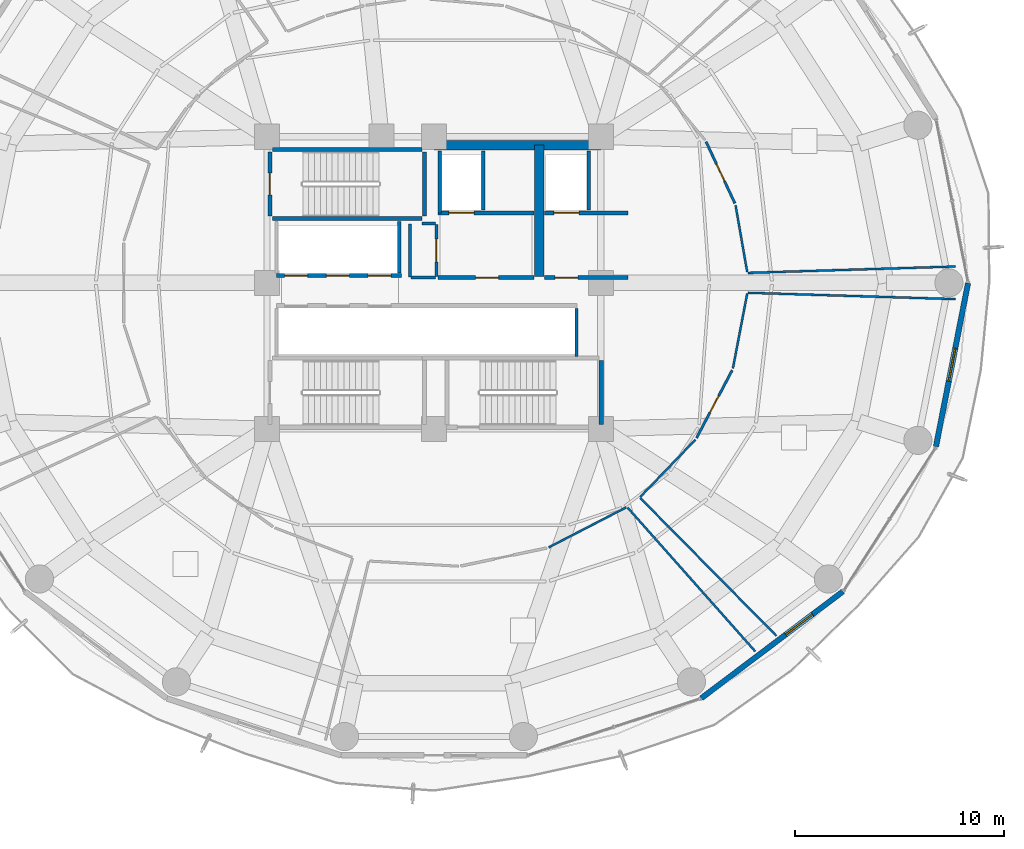
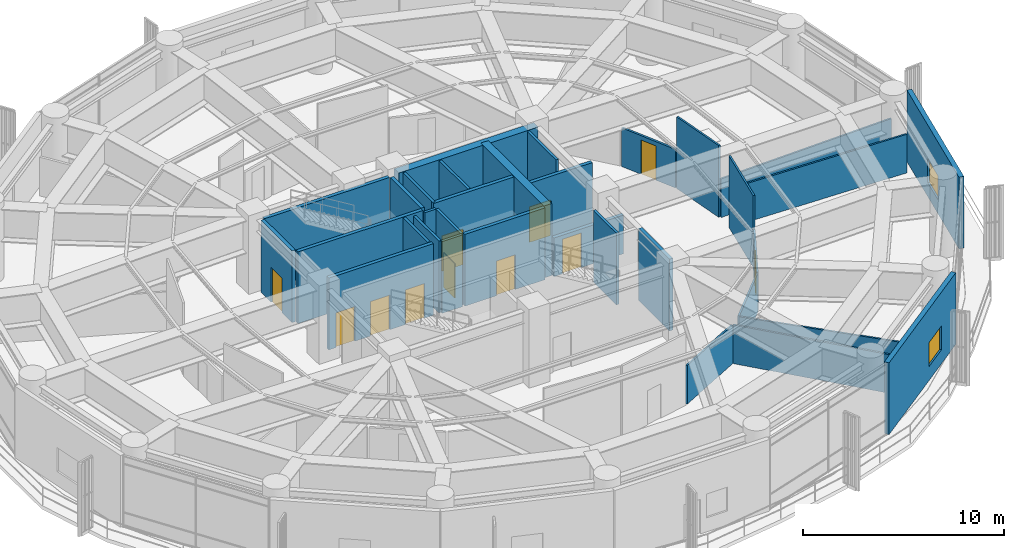
# One storey, part 28 of 34: 33 walls, 11 doors, 2 windows, 13 openings.
"""IFC4 building model written with IfcOpenShell, lengths in metres."""

from ifc_helpers import new_model, si_unit, direction, frame, frame_2d, origin, place, context, subcontext, project, spatial, rectangle, extrude, material, layer, layer_set, type_object, element, fill, save


model = new_model("IFC4")

# Units and contexts
model_context = context("Model", 3, precision=1e-05, world=origin(), true_north=direction((0.0, 1.0)))
body_context = subcontext(model_context, "Body", "Model", "MODEL_VIEW")
ifc_project = project(units=[si_unit("LENGTHUNIT", "METRE"), si_unit("AREAUNIT", "SQUARE_METRE"), si_unit("VOLUMEUNIT", "CUBIC_METRE"), si_unit("PLANEANGLEUNIT", "RADIAN"), si_unit("MASSUNIT", "GRAM", prefix="KILO")], contexts=[model_context])

# Site, building, storey
site_placement = place(None, origin())
site = spatial("IfcSite", under=ifc_project, at=site_placement, CompositionType="ELEMENT")
building_placement = place(site_placement, origin())
building = spatial("IfcBuilding", under=site, at=building_placement, Name="Kelanora Arch Commons", CompositionType="ELEMENT")
storey_placement = place(building_placement, frame((0.0, 0.0, 125.10009765625)))
storey = spatial("IfcBuildingStorey", under=building, at=storey_placement, Name="L32", CompositionType="ELEMENT", Elevation=125.10009765625)

# Walls
ifc_material_1 = material(Name="Autoclaved aerated concrete blockwork with fire plaster", Category="masonry")
ifc_layer_1 = layer(ifc_material_1, 0.14990234375)
ifc_layer_set_1 = layer_set([ifc_layer_1], Name="Autoclaved aerated concrete blockwork with fire plaster")
wall_type_1 = type_object("IfcWallType", Name="W-COMP-150", PredefinedType="PARTITIONING", material=ifc_layer_set_1)
wall_1_placement = place(storey_placement, frame((74.280029296875, 61.35009765625, 0.0), z_axis=(0.0, 0.0, 1.0), x_axis=(0.0, 1.0, 0.0)))
element("IfcWall", 1, at=wall_1_placement, inside=storey, type_object=wall_type_1, Name="Firefighting Lift 1 West Shaft Wall L32", PredefinedType="PARTITIONING", context=body_context, shape_type="SweptSolid", body=[
    extrude(rectangle(XDim=2.969970703125, YDim=0.14990234375, at=frame_2d((1.48486328125, 0.0))), origin(), (0.0, 0.0, 1.0), 4.349853515625),
])
for number, where, z_axis, x_axis, name in (
    (2, (76.360107421875, 61.47998046875, 0.0), (0.0, 0.0, 1.0), (0.0, 1.0, 0.0), "Firefighting Lift 1 East Shaft Wall L32"),
    (3, (81.419921875, 61.47998046875, 0.0), (0.0, 0.0, 1.0), (0.0, 1.0, 0.0), "Firefighting Lift 2 East Shaft Wall L32"),
):
    element("IfcWall", number, at=place(storey_placement, frame(where, z_axis=z_axis, x_axis=x_axis)), inside=storey, type_object=wall_type_1, Name=name, PredefinedType="PARTITIONING", context=body_context, shape_type="SweptSolid", body=[
        extrude(rectangle(XDim=2.840087890625, YDim=0.14990234375, at=frame_2d((1.419921875, 0.0))), origin(), (0.0, 0.0, 1.0), 4.349853515625),
    ])
wall_2_placement = place(storey_placement, frame((72.340087890625, 58.47998046875, 0.0), z_axis=(0.0, 0.0, 1.0), x_axis=(0.0, 1.0, 0.0)))
element("IfcWall", 4, at=wall_2_placement, inside=storey, type_object=wall_type_1, Name="Low-Rise Lift Bank East Wall L32", PredefinedType="PARTITIONING", context=body_context, shape_type="SweptSolid", body=[
    extrude(rectangle(XDim=2.4599609375, YDim=0.14990234375, at=frame_2d((1.22998046875, 0.0))), origin(), (0.0, 0.0, 1.0), 4.349853515625),
])
wall_3_placement = place(storey_placement, frame((80.840087890625, 54.47998046875, 0.0), z_axis=(0.0, 0.0, 1.0), x_axis=(0.0, 1.0, 0.0)))
element("IfcWall", 5, at=wall_3_placement, inside=storey, type_object=wall_type_1, Name="South Lift Bank East Wall L32", PredefinedType="PARTITIONING", context=body_context, shape_type="SweptSolid", body=[
    extrude(rectangle(XDim=2.2900390625, YDim=0.14990234375, at=frame_2d((1.14501953125, 0.0))), origin(), (0.0, 0.0, 1.0), 4.349853515625),
])

# Wall, opening, door
wall_4_placement = place(storey_placement, frame((74.1201171875, 58.31005859375, 0.0), z_axis=(0.0, 0.0, 1.0), x_axis=(0.0, 1.0, 0.0)))
wall_4 = element("IfcWall", 6, at=wall_4_placement, inside=storey, type_object=wall_type_1, Name="Core Linen Supply Store L32 Entry Partition", PredefinedType="PARTITIONING", context=body_context, shape_type="SweptSolid", body=[
    extrude(rectangle(XDim=2.47998046875, YDim=0.14990234375, at=frame_2d((1.239990234375, 0.0))), origin(), (0.0, 0.0, 1.0), 4.349853515625),
])
opening_1_placement = place(wall_4_placement, frame((0.699951171875, 0.0, 0.0)))
opening_1 = element("IfcOpeningElement", 7, at=opening_1_placement, cuts=wall_4, Name="Opening D-PLT1", PredefinedType="OPENING", context=body_context, shape_type="SweptSolid", body=[
    extrude(rectangle(XDim=1.080078125, YDim=2.10009765625, at=frame_2d((0.5400390625, 1.050048828125))), frame((0.0, 0.0849609375, 0.0), z_axis=(0.0, -1.0, 0.0), x_axis=(1.0, 0.0, 0.0)), (0.0, 0.0, 1.0), 0.169921875),
])
ifc_material_2 = material(Name="Galvanised steel plant and riser fire door", Category="steel")
door_type_1 = type_object("IfcDoorType", Name="D-PLT-110", OperationType="NOTDEFINED", PredefinedType="DOOR", material=ifc_material_2)
door_1_placement = place(opening_1_placement, origin())
door_1 = element("IfcDoor", 8, at=door_1_placement, inside=storey, type_object=door_type_1, Name="Core Linen Supply Store L32 Door", OperationType="SINGLE_SWING_RIGHT", OverallHeight=2.10009765625, OverallWidth=1.080078125, PredefinedType="DOOR", context=body_context, shape_type="SweptSolid", body=[
    extrude(rectangle(XDim=1.080078125, YDim=2.10009765625, at=frame_2d((0.5400390625, 1.050048828125))), frame((0.0, 0.02490234375, 0.0), z_axis=(0.0, -1.0, 0.0), x_axis=(1.0, 0.0, 0.0)), (0.0, 0.0, 1.0), 0.050048828125),
])
fill(opening_1, door_1)

# Walls
wall_5_placement = place(storey_placement, frame((72.89990234375, 58.25, 0.0), z_axis=(0.0, 0.0, 1.0), x_axis=(1.0, 0.0, 0.0)))
element("IfcWall", 9, at=wall_5_placement, inside=storey, type_object=wall_type_1, Name="Core Linen Supply Store L32 Enclosure Partition 1", PredefinedType="PARTITIONING", context=body_context, shape_type="SweptSolid", body=[
    extrude(rectangle(XDim=1.18017578125, YDim=0.14990234375, at=frame_2d((0.590087890625, 0.0))), origin(), (0.0, 0.0, 1.0), 4.349853515625),
])
wall_6_placement = place(storey_placement, frame((74.080078125, 60.85009765625, 0.0), z_axis=(0.0, 0.0, 1.0), x_axis=(-1.0, 0.0, 0.0)))
element("IfcWall", 10, at=wall_6_placement, inside=storey, type_object=wall_type_1, Name="Core Linen Supply Store L32 Enclosure Partition 3", PredefinedType="PARTITIONING", context=body_context, shape_type="SweptSolid", body=[
    extrude(rectangle(XDim=0.66015625, YDim=0.14990234375, at=frame_2d((0.330078125, 0.0))), origin(), (0.0, 0.0, 1.0), 4.349853515625),
])
wall_7_placement = place(storey_placement, frame((72.860107421875, 60.81005859375, 0.0), z_axis=(0.0, 0.0, 1.0), x_axis=(0.0, -1.0, 0.0)))
element("IfcWall", 11, at=wall_7_placement, inside=storey, type_object=wall_type_1, Name="Core Linen Supply Store L32 Enclosure Partition 4", PredefinedType="PARTITIONING", context=body_context, shape_type="SweptSolid", body=[
    extrude(rectangle(XDim=2.52001953125, YDim=0.14990234375, at=frame_2d((1.260009765625, 0.0))), origin(), (0.0, 0.0, 1.0), 4.349853515625),
])
ifc_material_3 = material(Name="Concrete C60/75", Category="concrete")
ifc_layer_2 = layer(ifc_material_3, 0.449951171875)
ifc_layer_set_2 = layer_set([ifc_layer_2], Name="Concrete C60/75")
wall_type_2 = type_object("IfcWallType", Name="W-CORE-450", PredefinedType="SHEAR", material=ifc_layer_set_2)
wall_8_placement = place(storey_placement, frame((74.0, 64.60009765625, 0.0), z_axis=(0.0, 0.0, 1.0), x_axis=(1.0, 0.0, 0.0)))
element("IfcWall", 12, at=wall_8_placement, inside=storey, type_object=wall_type_2, Name="Core Shear Spine L32-CN-E", PredefinedType="SHEAR", context=body_context, shape_type="SweptSolid", body=[
    extrude(rectangle(XDim=8.0, YDim=0.449951171875, at=frame_2d((4.0, 0.0))), origin(), (0.0, 0.0, 1.0), 4.35986328125),
])
wall_9_placement = place(storey_placement, frame((79.050048828125, 58.300048828125, 0.0), z_axis=(0.0, 0.0, 1.0), x_axis=(0.0, 1.0, 0.0)))
element("IfcWall", 13, at=wall_9_placement, inside=storey, type_object=wall_type_2, Name="Core Shear Spine L32-CE-N", PredefinedType="SHEAR", context=body_context, shape_type="SweptSolid", body=[
    extrude(rectangle(XDim=6.300048828125, YDim=0.449951171875, at=frame_2d((3.14990234375, 0.0))), origin(), (0.0, 0.0, 1.0), 4.35986328125),
])

# Wall, opening, window
ifc_material_4 = material(Name="Precast concrete C40/50 with terracotta rainscreen", Category="masonry")
ifc_layer_3 = layer(ifc_material_4, 0.260009765625)
ifc_layer_set_3 = layer_set([ifc_layer_3], Name="Precast concrete C40/50 with terracotta rainscreen")
wall_type_3 = type_object("IfcWallType", Name="W-EXT-TC", PredefinedType="SOLIDWALL", material=ifc_layer_set_3)
wall_10_placement = place(storey_placement, frame((86.81201171875, 38.09033203125, 0.0), z_axis=(0.0, 0.0, 1.0), x_axis=(0.798501507879, 0.601992808857, 0.0)))
wall_10 = element("IfcWall", 14, at=wall_10_placement, inside=storey, type_object=wall_type_3, Name="Terracotta Exterior Wall L32-B15", PredefinedType="SOLIDWALL", context=body_context, shape_type="SweptSolid", body=[
    extrude(rectangle(XDim=8.499267578125, YDim=0.260009765625, at=frame_2d((4.24951171875, 0.0))), origin(), (0.0, 0.0, 1.0), 4.344970703125),
])
opening_2_placement = place(wall_10_placement, frame((5.070068359375, 0.0, 0.85009765625)))
opening_2 = element("IfcOpeningElement", 15, at=opening_2_placement, cuts=wall_10, Name="Opening WN-01", PredefinedType="OPENING", context=body_context, shape_type="SweptSolid", body=[
    extrude(rectangle(XDim=1.60009765625, YDim=1.449951171875, at=frame_2d((0.800048828125, 0.72509765625))), frame((0.0, 0.14013671875, 0.0), z_axis=(0.0, -1.0, 0.0), x_axis=(1.0, 0.0, 0.0)), (0.0, 0.0, 1.0), 0.280029296875),
])
ifc_material_5 = material(Name="Terracotta-anodised aluminium frame with operable low-E glazing", Category="masonry")
window_type = type_object("IfcWindowType", Name="WIN-CL-18", PartitioningType="DOUBLE_PANEL_VERTICAL", PredefinedType="WINDOW", material=ifc_material_5)
window_1_placement = place(opening_2_placement, origin())
window_1 = element("IfcWindow", 16, at=window_1_placement, inside=storey, type_object=window_type, Name="Co-Living Operable Window L32-B15", OverallHeight=1.449951171875, OverallWidth=1.60009765625, PartitioningType="SINGLE_PANEL", PredefinedType="WINDOW", context=body_context, shape_type="SweptSolid", body=[
    extrude(rectangle(XDim=1.60009765625, YDim=1.449951171875, at=frame_2d((0.800048828125, 0.72509765625))), frame((0.0, 0.030029296875, 0.0), z_axis=(0.0, -1.0, 0.0), x_axis=(1.0, 0.0, 0.0)), (0.0, 0.0, 1.0), 0.06005859375),
])
fill(opening_2, window_1)

wall_11_placement = place(storey_placement, frame((98.05908203125, 50.148193359375, 0.0), z_axis=(0.0, 0.0, 1.0), x_axis=(0.192581843632, 0.981280914674, 0.0)))
wall_11 = element("IfcWall", 17, at=wall_11_placement, inside=storey, type_object=wall_type_3, Name="Terracotta Exterior Wall L32-B17", PredefinedType="SOLIDWALL", context=body_context, shape_type="SweptSolid", body=[
    extrude(rectangle(XDim=7.986572265625, YDim=0.260009765625, at=frame_2d((3.9931640625, 0.0))), origin(), (0.0, 0.0, 1.0), 4.344970703125),
])
opening_3_placement = place(wall_11_placement, frame((3.193115234375, 0.0, 0.85009765625)))
opening_3 = element("IfcOpeningElement", 18, at=opening_3_placement, cuts=wall_11, Name="Opening WN-01", PredefinedType="OPENING", context=body_context, shape_type="SweptSolid", body=[
    extrude(rectangle(XDim=1.60009765625, YDim=1.449951171875, at=frame_2d((0.800048828125, 0.72509765625))), frame((0.0, 0.14013671875, 0.0), z_axis=(0.0, -1.0, 0.0), x_axis=(1.0, 0.0, 0.0)), (0.0, 0.0, 1.0), 0.280029296875),
])
window_2_placement = place(opening_3_placement, origin())
window_2 = element("IfcWindow", 19, at=window_2_placement, inside=storey, type_object=window_type, Name="Co-Living Operable Window L32-B17", OverallHeight=1.449951171875, OverallWidth=1.60009765625, PartitioningType="SINGLE_PANEL", PredefinedType="WINDOW", context=body_context, shape_type="SweptSolid", body=[
    extrude(rectangle(XDim=1.60009765625, YDim=1.449951171875, at=frame_2d((0.800048828125, 0.72509765625))), frame((0.0, 0.030029296875, 0.0), z_axis=(0.0, -1.0, 0.0), x_axis=(1.0, 0.0, 0.0)), (0.0, 0.0, 1.0), 0.06005859375),
])
fill(opening_3, window_2)

# Wall, opening, door
ifc_material_6 = material(Name="Concrete C40/50", Category="concrete")
ifc_layer_4 = layer(ifc_material_6, 0.199951171875)
ifc_layer_set_4 = layer_set([ifc_layer_4], Name="Concrete C40/50")
wall_type_4 = type_object("IfcWallType", Name="W-FFL-200", PredefinedType="SOLIDWALL", material=ifc_layer_set_4)
wall_12_placement = place(storey_placement, frame((74.199951171875, 61.35009765625, 0.0), z_axis=(0.0, 0.0, 1.0), x_axis=(1.0, 0.0, 0.0)))
wall_12 = element("IfcWall", 20, at=wall_12_placement, inside=storey, type_object=wall_type_4, Name="Firefighting Lift 1 Shaft Front L32", PredefinedType="SOLIDWALL", context=body_context, shape_type="SweptSolid", body=[
    extrude(rectangle(XDim=4.60009765625, YDim=0.199951171875, at=frame_2d((2.300048828125, 0.0))), origin(), (0.0, 0.0, 1.0), 4.349853515625),
])
opening_4_placement = place(wall_12_placement, frame((0.52001953125, 0.0, 0.0)))
opening_4 = element("IfcOpeningElement", 21, at=opening_4_placement, cuts=wall_12, Name="Opening LD-FF", PredefinedType="OPENING", context=body_context, shape_type="SweptSolid", body=[
    extrude(rectangle(XDim=1.199951171875, YDim=2.14990234375, at=frame_2d((0.60009765625, 1.074951171875))), frame((0.0, 0.10986328125, 0.0), z_axis=(0.0, -1.0, 0.0), x_axis=(1.0, 0.0, 0.0)), (0.0, 0.0, 1.0), 0.219970703125),
])
ifc_material_7 = material(Name="Fire-rated firefighters lift sliding landing door")
door_type_2 = type_object("IfcDoorType", Name="D-LIFT-FF", OperationType="NOTDEFINED", PredefinedType="DOOR", material=ifc_material_7)
door_2_placement = place(opening_4_placement, origin())
door_2 = element("IfcDoor", 22, at=door_2_placement, inside=storey, type_object=door_type_2, Name="Firefighting Lift LF-FF1 Landing Door L32", OperationType="DOUBLE_DOOR_SLIDING", OverallHeight=2.14990234375, OverallWidth=1.199951171875, PredefinedType="DOOR", context=body_context, shape_type="SweptSolid", body=[
    extrude(rectangle(XDim=1.199951171875, YDim=2.14990234375, at=frame_2d((0.60009765625, 1.074951171875))), frame((0.0, 0.02490234375, 0.0), z_axis=(0.0, -1.0, 0.0), x_axis=(1.0, 0.0, 0.0)), (0.0, 0.0, 1.0), 0.050048828125),
])
fill(opening_4, door_2)

wall_13_placement = place(storey_placement, frame((79.300048828125, 61.35009765625, 0.0), z_axis=(0.0, 0.0, 1.0), x_axis=(1.0, 0.0, 0.0)))
wall_13 = element("IfcWall", 23, at=wall_13_placement, inside=storey, type_object=wall_type_4, Name="Firefighting Lift 2 Shaft Front L32", PredefinedType="SOLIDWALL", context=body_context, shape_type="SweptSolid", body=[
    extrude(rectangle(XDim=4.0, YDim=0.199951171875, at=frame_2d((2.0, 0.0))), origin(), (0.0, 0.0, 1.0), 3.64501953125),
])
opening_5_placement = place(wall_13_placement, frame((0.449951171875, 0.0, 0.0)))
opening_5 = element("IfcOpeningElement", 24, at=opening_5_placement, cuts=wall_13, Name="Opening LD-FF", PredefinedType="OPENING", context=body_context, shape_type="SweptSolid", body=[
    extrude(rectangle(XDim=1.199951171875, YDim=2.14990234375, at=frame_2d((0.60009765625, 1.074951171875))), frame((0.0, 0.10986328125, 0.0), z_axis=(0.0, -1.0, 0.0), x_axis=(1.0, 0.0, 0.0)), (0.0, 0.0, 1.0), 0.219970703125),
])
door_3_placement = place(opening_5_placement, origin())
door_3 = element("IfcDoor", 25, at=door_3_placement, inside=storey, type_object=door_type_2, Name="Firefighting Lift LF-FF2 Landing Door L32", OperationType="DOUBLE_DOOR_SLIDING", OverallHeight=2.14990234375, OverallWidth=1.199951171875, PredefinedType="DOOR", context=body_context, shape_type="SweptSolid", body=[
    extrude(rectangle(XDim=1.199951171875, YDim=2.14990234375, at=frame_2d((0.60009765625, 1.074951171875))), frame((0.0, 0.02490234375, 0.0), z_axis=(0.0, -1.0, 0.0), x_axis=(1.0, 0.0, 0.0)), (0.0, 0.0, 1.0), 0.050048828125),
])
fill(opening_5, door_3)

wall_14_placement = place(storey_placement, frame((74.199951171875, 58.25, 0.0), z_axis=(0.0, 0.0, 1.0), x_axis=(1.0, 0.0, 0.0)))
wall_14 = element("IfcWall", 26, at=wall_14_placement, inside=storey, type_object=wall_type_4, Name="Firefighting Lobby 1 Enclosure Wall L32", PredefinedType="SOLIDWALL", context=body_context, shape_type="SweptSolid", body=[
    extrude(rectangle(XDim=4.60009765625, YDim=0.199951171875, at=frame_2d((2.300048828125, 0.0))), origin(), (0.0, 0.0, 1.0), 4.349853515625),
])
opening_6_placement = place(wall_14_placement, frame((1.800048828125, 0.0, 0.0)))
opening_6 = element("IfcOpeningElement", 27, at=opening_6_placement, cuts=wall_14, Name="Opening D-FFL1", PredefinedType="OPENING", context=body_context, shape_type="SweptSolid", body=[
    extrude(rectangle(XDim=1.10009765625, YDim=2.10009765625, at=frame_2d((0.550048828125, 1.050048828125))), frame((0.0, 0.10986328125, 0.0), z_axis=(0.0, -1.0, 0.0), x_axis=(1.0, 0.0, 0.0)), (0.0, 0.0, 1.0), 0.219970703125),
])
ifc_material_8 = material(Name="Smoke-sealed firefighting lobby fire door")
door_type_3 = type_object("IfcDoorType", Name="D-FFL-110", OperationType="NOTDEFINED", PredefinedType="DOOR", material=ifc_material_8)
door_4_placement = place(opening_6_placement, frame((1.10009765625, 0.0, 0.0), z_axis=(0.0, 0.0, 1.0), x_axis=(-1.0, 0.0, 0.0)))
door_4 = element("IfcDoor", 28, at=door_4_placement, inside=storey, type_object=door_type_3, Name="Firefighting Lobby 1 Door L32", OperationType="SINGLE_SWING_LEFT", OverallHeight=2.10009765625, OverallWidth=1.10009765625, PredefinedType="DOOR", context=body_context, shape_type="SweptSolid", body=[
    extrude(rectangle(XDim=1.10009765625, YDim=2.10009765625, at=frame_2d((0.550048828125, 1.050048828125))), frame((0.0, 0.02490234375, 0.0), z_axis=(0.0, -1.0, 0.0), x_axis=(1.0, 0.0, 0.0)), (0.0, 0.0, 1.0), 0.050048828125),
])
fill(opening_6, door_4)

wall_15_placement = place(storey_placement, frame((79.300048828125, 58.25, 0.0), z_axis=(0.0, 0.0, 1.0), x_axis=(1.0, 0.0, 0.0)))
wall_15 = element("IfcWall", 29, at=wall_15_placement, inside=storey, type_object=wall_type_4, Name="Firefighting Lobby 2 Enclosure Wall L32", PredefinedType="SOLIDWALL", context=body_context, shape_type="SweptSolid", body=[
    extrude(rectangle(XDim=4.0, YDim=0.199951171875, at=frame_2d((2.0, 0.0))), origin(), (0.0, 0.0, 1.0), 2.344970703125),
])
opening_7_placement = place(wall_15_placement, frame((0.5, 0.0, 0.0)))
opening_7 = element("IfcOpeningElement", 30, at=opening_7_placement, cuts=wall_15, Name="Opening D-FFL1", PredefinedType="OPENING", context=body_context, shape_type="SweptSolid", body=[
    extrude(rectangle(XDim=1.10009765625, YDim=2.10009765625, at=frame_2d((0.550048828125, 1.050048828125))), frame((0.0, 0.10986328125, 0.0), z_axis=(0.0, -1.0, 0.0), x_axis=(1.0, 0.0, 0.0)), (0.0, 0.0, 1.0), 0.219970703125),
])
door_5_placement = place(opening_7_placement, frame((1.10009765625, 0.0, 0.0), z_axis=(0.0, 0.0, 1.0), x_axis=(-1.0, 0.0, 0.0)))
door_5 = element("IfcDoor", 31, at=door_5_placement, inside=storey, type_object=door_type_3, Name="Firefighting Lobby 2 Door L32", OperationType="SINGLE_SWING_RIGHT", OverallHeight=2.10009765625, OverallWidth=1.10009765625, PredefinedType="DOOR", context=body_context, shape_type="SweptSolid", body=[
    extrude(rectangle(XDim=1.10009765625, YDim=2.10009765625, at=frame_2d((0.550048828125, 1.050048828125))), frame((0.0, 0.02490234375, 0.0), z_axis=(0.0, -1.0, 0.0), x_axis=(1.0, 0.0, 0.0)), (0.0, 0.0, 1.0), 0.050048828125),
])
fill(opening_7, door_5)

# Wall, openings, doors
wall_16_placement = place(storey_placement, frame((66.449951171875, 58.35009765625, 0.0), z_axis=(0.0, 0.0, 1.0), x_axis=(1.0, 0.0, 0.0)))
wall_16 = element("IfcWall", 32, at=wall_16_placement, inside=storey, type_object=wall_type_4, Name="Low-Rise Passenger Lift Shaft Front L32", PredefinedType="SOLIDWALL", context=body_context, shape_type="SweptSolid", body=[
    extrude(rectangle(XDim=6.0, YDim=0.199951171875, at=frame_2d((3.0, 0.0))), origin(), (0.0, 0.0, 1.0), 4.349853515625),
])
opening_8_placement = place(wall_16_placement, frame((0.39990234375, 0.0, 0.0)))
opening_8 = element("IfcOpeningElement", 33, at=opening_8_placement, cuts=wall_16, Name="Opening LD-01", PredefinedType="OPENING", context=body_context, shape_type="SweptSolid", body=[
    extrude(rectangle(XDim=1.10009765625, YDim=2.10009765625, at=frame_2d((0.550048828125, 1.050048828125))), frame((0.0, 0.10986328125, 0.0), z_axis=(0.0, -1.0, 0.0), x_axis=(1.0, 0.0, 0.0)), (0.0, 0.0, 1.0), 0.219970703125),
])
opening_9_placement = place(wall_16_placement, frame((2.39990234375, 0.0, 0.0)))
opening_9 = element("IfcOpeningElement", 34, at=opening_9_placement, cuts=wall_16, Name="Opening LD-01", PredefinedType="OPENING", context=body_context, shape_type="SweptSolid", body=[
    extrude(rectangle(XDim=1.10009765625, YDim=2.10009765625, at=frame_2d((0.550048828125, 1.050048828125))), frame((0.0, 0.10986328125, 0.0), z_axis=(0.0, -1.0, 0.0), x_axis=(1.0, 0.0, 0.0)), (0.0, 0.0, 1.0), 0.219970703125),
])
opening_10_placement = place(wall_16_placement, frame((4.39990234375, 0.0, 0.0)))
opening_10 = element("IfcOpeningElement", 35, at=opening_10_placement, cuts=wall_16, Name="Opening LD-01", PredefinedType="OPENING", context=body_context, shape_type="SweptSolid", body=[
    extrude(rectangle(XDim=1.10009765625, YDim=2.10009765625, at=frame_2d((0.550048828125, 1.050048828125))), frame((0.0, 0.10986328125, 0.0), z_axis=(0.0, -1.0, 0.0), x_axis=(1.0, 0.0, 0.0)), (0.0, 0.0, 1.0), 0.219970703125),
])
ifc_material_9 = material(Name="Stainless steel passenger lift sliding landing door", Category="steel")
door_type_4 = type_object("IfcDoorType", Name="D-LIFT-110", OperationType="NOTDEFINED", PredefinedType="DOOR", material=ifc_material_9)
door_6_placement = place(opening_8_placement, origin())
door_6 = element("IfcDoor", 36, at=door_6_placement, inside=storey, type_object=door_type_4, Name="Passenger Lift LF-P1 Landing Door L32", OperationType="DOUBLE_DOOR_SLIDING", OverallHeight=2.10009765625, OverallWidth=1.10009765625, PredefinedType="DOOR", context=body_context, shape_type="SweptSolid", body=[
    extrude(rectangle(XDim=1.10009765625, YDim=2.10009765625, at=frame_2d((0.550048828125, 1.050048828125))), frame((0.0, 0.02490234375, 0.0), z_axis=(0.0, -1.0, 0.0), x_axis=(1.0, 0.0, 0.0)), (0.0, 0.0, 1.0), 0.050048828125),
])
fill(opening_8, door_6)
door_7_placement = place(opening_9_placement, origin())
door_7 = element("IfcDoor", 37, at=door_7_placement, inside=storey, type_object=door_type_4, Name="Passenger Lift LF-P2 Landing Door L32", OperationType="DOUBLE_DOOR_SLIDING", OverallHeight=2.10009765625, OverallWidth=1.10009765625, PredefinedType="DOOR", context=body_context, shape_type="SweptSolid", body=[
    extrude(rectangle(XDim=1.10009765625, YDim=2.10009765625, at=frame_2d((0.550048828125, 1.050048828125))), frame((0.0, 0.02490234375, 0.0), z_axis=(0.0, -1.0, 0.0), x_axis=(1.0, 0.0, 0.0)), (0.0, 0.0, 1.0), 0.050048828125),
])
fill(opening_9, door_7)
door_8_placement = place(opening_10_placement, origin())
door_8 = element("IfcDoor", 38, at=door_8_placement, inside=storey, type_object=door_type_4, Name="Passenger Lift LF-P3 Landing Door L32", OperationType="DOUBLE_DOOR_SLIDING", OverallHeight=2.10009765625, OverallWidth=1.10009765625, PredefinedType="DOOR", context=body_context, shape_type="SweptSolid", body=[
    extrude(rectangle(XDim=1.10009765625, YDim=2.10009765625, at=frame_2d((0.550048828125, 1.050048828125))), frame((0.0, 0.02490234375, 0.0), z_axis=(0.0, -1.0, 0.0), x_axis=(1.0, 0.0, 0.0)), (0.0, 0.0, 1.0), 0.050048828125),
])
fill(opening_10, door_8)

# Walls
ifc_material_10 = material(Name="Lightweight fire-rated acoustic stud partition")
ifc_layer_5 = layer(ifc_material_10, 0.10009765625)
ifc_layer_set_5 = layer_set([ifc_layer_5], Name="Lightweight fire-rated acoustic stud partition")
wall_type_5 = type_object("IfcWallType", Name="W-PART-100", PredefinedType="PARTITIONING", material=ifc_layer_set_5)
wall_17_placement = place(storey_placement, frame((79.50341796875, 45.322509765625, 0.0), z_axis=(0.0, 0.0, 1.0), x_axis=(0.888522350378, 0.458833338892, 0.0)))
element("IfcWall", 39, at=wall_17_placement, inside=storey, type_object=wall_type_5, Name="Communal Student Shared Cluster Kitchen L32-B Enclosure Partition 3", PredefinedType="PARTITIONING", context=body_context, shape_type="SweptSolid", body=[
    extrude(rectangle(XDim=4.18017578125, YDim=0.10009765625, at=frame_2d((2.090087890625, 0.0))), origin(), (0.0, 0.0, 1.0), 2.344970703125),
])
wall_18_placement = place(storey_placement, frame((83.279541015625, 47.22900390625, 0.0), z_axis=(0.0, 0.0, 1.0), x_axis=(0.66384227407, -0.747872606235, 0.0)))
element("IfcWall", 40, at=wall_18_placement, inside=storey, type_object=wall_type_5, Name="Communal Student Shared Cluster Kitchen L32-B Enclosure Partition 4", PredefinedType="PARTITIONING", context=body_context, shape_type="SweptSolid", body=[
    extrude(rectangle(XDim=9.212890625, YDim=0.10009765625, at=frame_2d((4.6064453125, 0.0))), origin(), (0.0, 0.0, 1.0), 2.344970703125),
])
wall_19_placement = place(storey_placement, frame((83.888916015625, 47.74169921875, 0.0), z_axis=(0.0, 0.0, 1.0), x_axis=(0.693960990079, 0.720012600062, 0.0)))
element("IfcWall", 41, at=wall_19_placement, inside=storey, type_object=wall_type_5, Name="Double-Aspect Student Social Lounge L32 Enclosure Partition 1", PredefinedType="PARTITIONING", context=body_context, shape_type="SweptSolid", body=[
    extrude(rectangle(XDim=3.8046875, YDim=0.10009765625, at=frame_2d((1.90234375, 0.0))), origin(), (0.0, 0.0, 1.0), 2.344970703125),
])
wall_20_placement = place(storey_placement, frame((88.32861328125, 53.9033203125, 0.0), z_axis=(0.0, 0.0, 1.0), x_axis=(0.187816655174, 0.982204105082, 0.0)))
element("IfcWall", 42, at=wall_20_placement, inside=storey, type_object=wall_type_5, Name="Double-Aspect Student Social Lounge L32 Enclosure Partition 3", PredefinedType="PARTITIONING", context=body_context, shape_type="SweptSolid", body=[
    extrude(rectangle(XDim=3.646240234375, YDim=0.10009765625, at=frame_2d((1.8232421875, 0.0))), origin(), (0.0, 0.0, 1.0), 4.349853515625),
])
wall_21_placement = place(storey_placement, frame((89.06103515625, 57.522705078125, 0.0), z_axis=(0.0, 0.0, 1.0), x_axis=(0.999530731129, -0.030631969076, 0.0)))
element("IfcWall", 43, at=wall_21_placement, inside=storey, type_object=wall_type_5, Name="Double-Aspect Student Social Lounge L32 Enclosure Partition 4", PredefinedType="PARTITIONING", context=body_context, shape_type="SweptSolid", body=[
    extrude(rectangle(XDim=9.938720703125, YDim=0.10009765625, at=frame_2d((4.96923828125, 0.0))), origin(), (0.0, 0.0, 1.0), 2.344970703125),
])
wall_22_placement = place(storey_placement, frame((90.406005859375, 41.08544921875, 0.0), z_axis=(0.0, 0.0, 1.0), x_axis=(-0.702657333511, 0.71152840538, 0.0)))
element("IfcWall", 44, at=wall_22_placement, inside=storey, type_object=wall_type_5, Name="Double-Aspect Student Social Lounge L32 Enclosure Partition 8", PredefinedType="PARTITIONING", context=body_context, shape_type="SweptSolid", body=[
    extrude(rectangle(XDim=9.274658203125, YDim=0.10009765625, at=frame_2d((4.63720703125, 0.0))), origin(), (0.0, 0.0, 1.0), 2.344970703125),
])
wall_23_placement = place(storey_placement, frame((89.01416015625, 58.515380859375, 0.0), z_axis=(0.0, 0.0, 1.0), x_axis=(-0.172066965458, 0.985085254888, 0.0)))
element("IfcWall", 45, at=wall_23_placement, inside=storey, type_object=wall_type_5, Name="Group Seminar Room L32-1 Enclosure Partition 1", PredefinedType="PARTITIONING", context=body_context, shape_type="SweptSolid", body=[
    extrude(rectangle(XDim=3.250732421875, YDim=0.10009765625, at=frame_2d((1.62548828125, 0.0))), origin(), (0.0, 0.0, 1.0), 4.349853515625),
])
wall_24_placement = place(storey_placement, frame((98.9951171875, 58.78173828125, 0.0), z_axis=(0.0, 0.0, 1.0), x_axis=(-0.999530731129, -0.030631969076, 0.0)))
element("IfcWall", 46, at=wall_24_placement, inside=storey, type_object=wall_type_5, Name="Group Seminar Room L32-1 Enclosure Partition 8", PredefinedType="PARTITIONING", context=body_context, shape_type="SweptSolid", body=[
    extrude(rectangle(XDim=9.938720703125, YDim=0.10009765625, at=frame_2d((4.96923828125, 0.0))), origin(), (0.0, 0.0, 1.0), 2.344970703125),
])

# Wall, opening, door
ifc_material_11 = material(Name="Acoustic twin-stud fire-rated gypsum partition")
ifc_layer_6 = layer(ifc_material_11, 0.1201171875)
ifc_layer_set_6 = layer_set([ifc_layer_6], Name="Acoustic twin-stud fire-rated gypsum partition")
wall_type_6 = type_object("IfcWallType", Name="W-PART-120", PredefinedType="PARTITIONING", material=ifc_layer_set_6)
wall_25_placement = place(storey_placement, frame((86.5849609375, 50.56298828125, 0.0), z_axis=(0.0, 0.0, 1.0), x_axis=(0.465507861705, 0.885043745072, 0.0)))
wall_25 = element("IfcWall", 47, at=wall_25_placement, inside=storey, type_object=wall_type_6, Name="Double-Aspect Student Social Lounge L32 Entry Partition", PredefinedType="PARTITIONING", context=body_context, shape_type="SweptSolid", body=[
    extrude(rectangle(XDim=3.669677734375, YDim=0.1201171875, at=frame_2d((1.8349609375, 0.0))), origin(), (0.0, 0.0, 1.0), 2.344970703125),
])
opening_11_placement = place(wall_25_placement, frame((1.385009765625, 0.0, 0.0)))
opening_11 = element("IfcOpeningElement", 48, at=opening_11_placement, cuts=wall_25, Name="Opening D-RM1", PredefinedType="OPENING", context=body_context, shape_type="SweptSolid", body=[
    extrude(rectangle(XDim=0.89990234375, YDim=2.080078125, at=frame_2d((0.449951171875, 1.0400390625))), frame((0.0, 0.070068359375, 0.0), z_axis=(0.0, -1.0, 0.0), x_axis=(1.0, 0.0, 0.0)), (0.0, 0.0, 1.0), 0.14013671875),
])
ifc_material_12 = material(Name="Acoustic fire-rated timber study and lounge door", Category="wood")
door_type_5 = type_object("IfcDoorType", Name="D-ROOM-90", OperationType="NOTDEFINED", PredefinedType="DOOR", material=ifc_material_12)
door_9_placement = place(opening_11_placement, origin())
door_9 = element("IfcDoor", 49, at=door_9_placement, inside=storey, type_object=door_type_5, Name="Double-Aspect Student Social Lounge L32 Door", OperationType="SINGLE_SWING_RIGHT", OverallHeight=2.080078125, OverallWidth=0.89990234375, PredefinedType="DOOR", context=body_context, shape_type="SweptSolid", body=[
    extrude(rectangle(XDim=0.89990234375, YDim=2.080078125, at=frame_2d((0.449951171875, 1.0400390625))), frame((0.0, 0.02490234375, 0.0), z_axis=(0.0, -1.0, 0.0), x_axis=(1.0, 0.0, 0.0)), (0.0, 0.0, 1.0), 0.050048828125),
])
fill(opening_11, door_9)

wall_26_placement = place(storey_placement, frame((88.422607421875, 61.811279296875, 0.0), z_axis=(0.0, 0.0, 1.0), x_axis=(-0.424067007709, 0.905630814942, 0.0)))
wall_26 = element("IfcWall", 50, at=wall_26_placement, inside=storey, type_object=wall_type_6, Name="Group Seminar Room L32-1 Entry Partition", PredefinedType="PARTITIONING", context=body_context, shape_type="SweptSolid", body=[
    extrude(rectangle(XDim=3.2568359375, YDim=0.1201171875, at=frame_2d((1.62841796875, 0.0))), origin(), (0.0, 0.0, 1.0), 2.344970703125),
])
opening_12_placement = place(wall_26_placement, frame((1.177978515625, 0.0, 0.0)))
opening_12 = element("IfcOpeningElement", 51, at=opening_12_placement, cuts=wall_26, Name="Opening D-RM1", PredefinedType="OPENING", context=body_context, shape_type="SweptSolid", body=[
    extrude(rectangle(XDim=0.89990234375, YDim=2.080078125, at=frame_2d((0.449951171875, 1.0400390625))), frame((0.0, 0.070068359375, 0.0), z_axis=(0.0, -1.0, 0.0), x_axis=(1.0, 0.0, 0.0)), (0.0, 0.0, 1.0), 0.14013671875),
])
door_10_placement = place(opening_12_placement, origin())
door_10 = element("IfcDoor", 52, at=door_10_placement, inside=storey, type_object=door_type_5, Name="Group Seminar Room L32-1 Door", OperationType="SINGLE_SWING_LEFT", OverallHeight=2.080078125, OverallWidth=0.89990234375, PredefinedType="DOOR", context=body_context, shape_type="SweptSolid", body=[
    extrude(rectangle(XDim=0.89990234375, YDim=2.080078125, at=frame_2d((0.449951171875, 1.0400390625))), frame((0.0, 0.02490234375, 0.0), z_axis=(0.0, -1.0, 0.0), x_axis=(1.0, 0.0, 0.0)), (0.0, 0.0, 1.0), 0.050048828125),
])
fill(opening_12, door_10)

# Walls
ifc_layer_7 = layer(ifc_material_6, 0.199951171875)
ifc_layer_set_7 = layer_set([ifc_layer_7], Name="Concrete C40/50")
wall_type_7 = type_object("IfcWallType", Name="W-STAIR-200", PredefinedType="SHEAR", material=ifc_layer_set_7)
wall_27_placement = place(storey_placement, frame((66.260009765625, 61.080078125, 0.0), z_axis=(0.0, 0.0, 1.0), x_axis=(1.0, 0.0, 0.0)))
element("IfcWall", 53, at=wall_27_placement, inside=storey, type_object=wall_type_7, Name="Stair ST-T1 Shaft Wall S L32", PredefinedType="SHEAR", context=body_context, shape_type="SweptSolid", body=[
    extrude(rectangle(XDim=7.159912109375, YDim=0.199951171875, at=frame_2d((3.580078125, 0.0))), origin(), (0.0, 0.0, 1.0), 4.35986328125),
])
wall_28_placement = place(storey_placement, frame((73.5400390625, 61.199951171875, 0.0), z_axis=(0.0, 0.0, 1.0), x_axis=(0.0, 1.0, 0.0)))
element("IfcWall", 54, at=wall_28_placement, inside=storey, type_object=wall_type_7, Name="Stair ST-T1 Shaft Wall E L32", PredefinedType="SHEAR", context=body_context, shape_type="SweptSolid", body=[
    extrude(rectangle(XDim=3.070068359375, YDim=0.199951171875, at=frame_2d((1.53515625, 0.0))), origin(), (0.0, 0.0, 1.0), 4.35986328125),
])
wall_29_placement = place(storey_placement, frame((73.419921875, 64.389892578125, 0.0), z_axis=(0.0, 0.0, 1.0), x_axis=(-1.0, 0.0, 0.0)))
element("IfcWall", 55, at=wall_29_placement, inside=storey, type_object=wall_type_7, Name="Stair ST-T1 Shaft Wall N L32", PredefinedType="SHEAR", context=body_context, shape_type="SweptSolid", body=[
    extrude(rectangle(XDim=7.159912109375, YDim=0.199951171875, at=frame_2d((3.580078125, 0.0))), origin(), (0.0, 0.0, 1.0), 4.35986328125),
])

# Wall, opening, door
wall_30_placement = place(storey_placement, frame((66.139892578125, 64.27001953125, 0.0), z_axis=(0.0, 0.0, 1.0), x_axis=(0.0, -1.0, 0.0)))
wall_30 = element("IfcWall", 56, at=wall_30_placement, inside=storey, type_object=wall_type_7, Name="Stair ST-T1 Shaft Wall W L32", PredefinedType="SHEAR", context=body_context, shape_type="SweptSolid", body=[
    extrude(rectangle(XDim=3.070068359375, YDim=0.199951171875, at=frame_2d((1.53515625, 0.0))), origin(), (0.0, 0.0, 1.0), 4.35986328125),
])
opening_13_placement = place(wall_30_placement, frame((1.010009765625, 0.0, 0.0)))
opening_13 = element("IfcOpeningElement", 57, at=opening_13_placement, cuts=wall_30, Name="Opening D-ST1", PredefinedType="OPENING", context=body_context, shape_type="SweptSolid", body=[
    extrude(rectangle(XDim=1.050048828125, YDim=2.10009765625, at=frame_2d((0.52490234375, 1.050048828125))), frame((0.0, 0.10986328125, 0.0), z_axis=(0.0, -1.0, 0.0), x_axis=(1.0, 0.0, 0.0)), (0.0, 0.0, 1.0), 0.219970703125),
])
ifc_material_13 = material(Name="Steel fire-rated stairwell escape door", Category="steel")
door_type_6 = type_object("IfcDoorType", Name="D-STAIR-110", OperationType="NOTDEFINED", PredefinedType="DOOR", material=ifc_material_13)
door_11_placement = place(opening_13_placement, origin())
door_11 = element("IfcDoor", 58, at=door_11_placement, inside=storey, type_object=door_type_6, Name="Stair ST-T1 Escape Door L32", OperationType="SINGLE_SWING_LEFT", OverallHeight=2.10009765625, OverallWidth=1.050048828125, PredefinedType="DOOR", context=body_context, shape_type="SweptSolid", body=[
    extrude(rectangle(XDim=1.050048828125, YDim=2.10009765625, at=frame_2d((0.52490234375, 1.050048828125))), frame((0.0, 0.02490234375, 0.0), z_axis=(0.0, -1.0, 0.0), x_axis=(1.0, 0.0, 0.0)), (0.0, 0.0, 1.0), 0.050048828125),
])
fill(opening_13, door_11)

# Wall
wall_31_placement = place(storey_placement, frame((82.02001953125, 51.199951171875, 0.0), z_axis=(0.0, 0.0, 1.0), x_axis=(0.0, 1.0, 0.0)))
element("IfcWall", 59, at=wall_31_placement, inside=storey, type_object=wall_type_7, Name="Stair ST-T2 Shaft Wall E L32", PredefinedType="SHEAR", context=body_context, shape_type="SweptSolid", body=[
    extrude(rectangle(XDim=3.070068359375, YDim=0.199951171875, at=frame_2d((1.53515625, 0.0))), origin(), (0.0, 0.0, 1.0), 4.35986328125),
])

save(model, "model.ifc")
